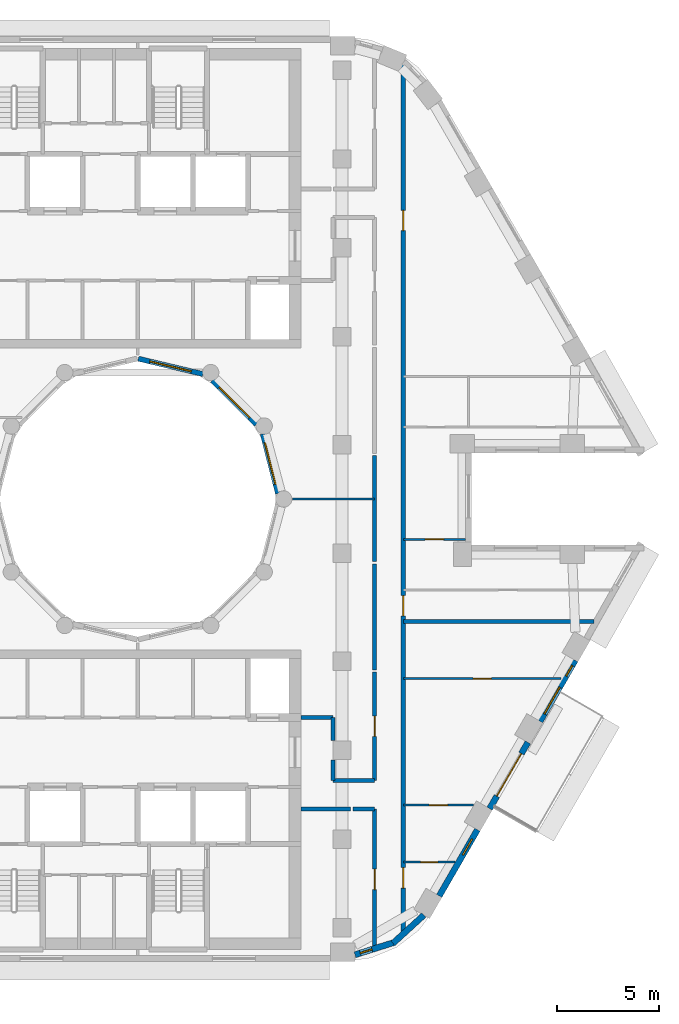
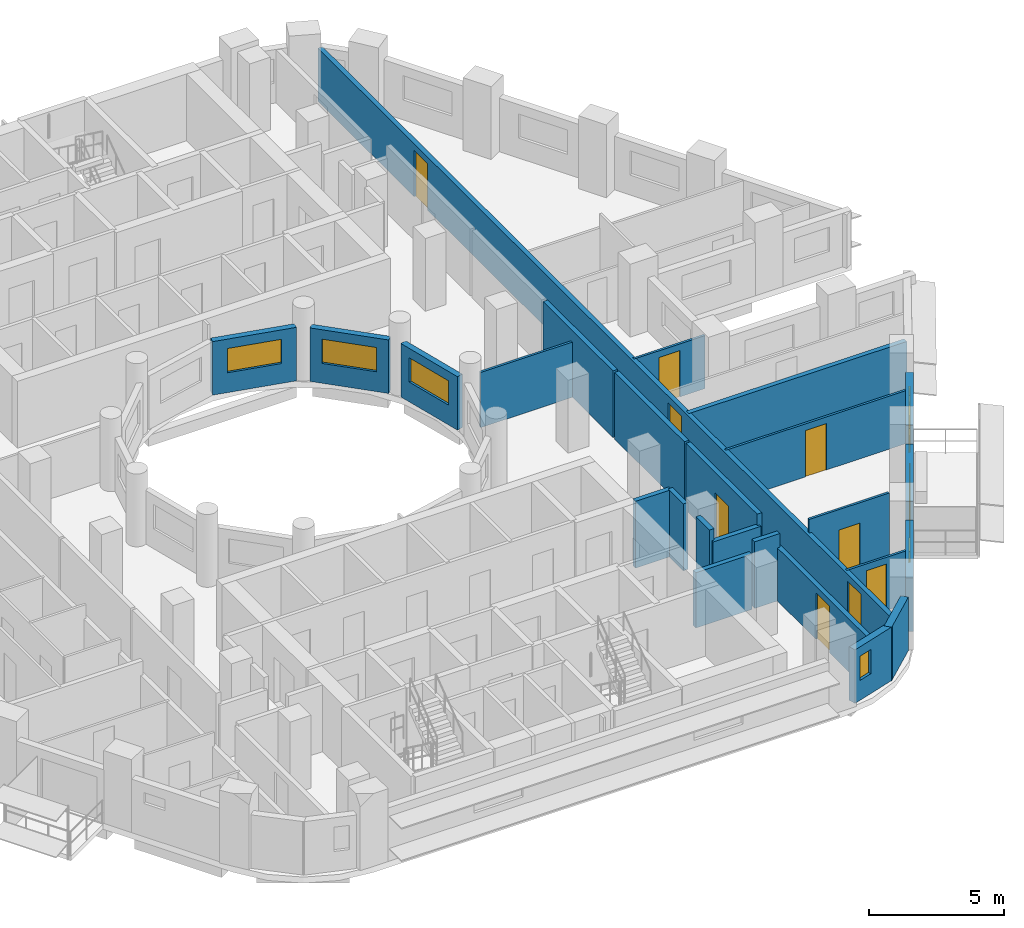
# One storey, part 6 of 17: 25 walls, 10 doors, 7 windows, 17 openings.
"""IFC4 building model written with IfcOpenShell, lengths in metres."""

from ifc_helpers import new_model, si_unit, direction, frame, frame_2d, origin, place, context, subcontext, project, spatial, rectangle, extrude, material, layer, layer_set, type_object, element, fill, save


model = new_model("IFC4")

# Units and contexts
model_context = context("Model", 3, precision=1e-05, world=origin(), true_north=direction((0.0, 1.0)))
body_context = subcontext(model_context, "Body", "Model", "MODEL_VIEW")
ifc_project = project(units=[si_unit("LENGTHUNIT", "METRE"), si_unit("AREAUNIT", "SQUARE_METRE"), si_unit("VOLUMEUNIT", "CUBIC_METRE"), si_unit("PLANEANGLEUNIT", "RADIAN"), si_unit("MASSUNIT", "GRAM", prefix="KILO")], contexts=[model_context])

# Site, building, storey
site_placement = place(None, origin())
site = spatial("IfcSite", under=ifc_project, at=site_placement, CompositionType="ELEMENT")
building_placement = place(site_placement, origin())
building = spatial("IfcBuilding", under=site, at=building_placement, Name="Nakaniwa Court", CompositionType="ELEMENT")
storey_placement = place(building_placement, frame((0.0, 0.0, 206.39990234375)))
storey = spatial("IfcBuildingStorey", under=building, at=storey_placement, Name="L54", CompositionType="ELEMENT", Elevation=206.39990234375)

# Wall, opening, door
ifc_material_1 = material(Name="Acoustic double stud partition")
ifc_layer_1 = layer(ifc_material_1, 0.199951171875)
ifc_layer_set_1 = layer_set([ifc_layer_1], Name="Acoustic double stud partition")
wall_type_1 = type_object("IfcWallType", Name="Acoustic double stud partition 200", PredefinedType="PARTITIONING", material=ifc_layer_set_1)
wall_1_placement = place(storey_placement, frame((91.60009765625, 57.92626953125, 0.0), z_axis=(0.0, 0.0, 1.0), x_axis=(0.0, 1.0, 0.0)))
wall_1 = element("IfcWall", 1, at=wall_1_placement, inside=storey, type_object=wall_type_1, Name="Partition PW-073", PredefinedType="PARTITIONING", context=body_context, shape_type="SweptSolid", body=[
    extrude(rectangle(XDim=6.898681640625, YDim=0.199951171875, at=frame_2d((3.44921875, 0.0))), origin(), (0.0, 0.0, 1.0), 2.405029296875),
])
opening_1_placement = place(wall_1_placement, frame((2.948974609375, 0.0, 0.0)))
opening_1 = element("IfcOpeningElement", 2, at=opening_1_placement, cuts=wall_1, Name="Opening D-02-01", PredefinedType="OPENING", context=body_context, shape_type="SweptSolid", body=[
    extrude(rectangle(XDim=1.0, YDim=2.10009765625, at=frame_2d((0.5, 1.050048828125))), frame((0.0, 0.10986328125, 0.0), z_axis=(0.0, -1.0, 0.0), x_axis=(1.0, 0.0, 0.0)), (0.0, 0.0, 1.0), 0.219970703125),
])
ifc_material_2 = material(Name="Solid core timber door set, black veneer", Category="wood")
door_type_1 = type_object("IfcDoorType", Name="Internal door 1000", OperationType="NOTDEFINED", PredefinedType="DOOR", material=ifc_material_2)
door_1_placement = place(opening_1_placement, origin())
door_1 = element("IfcDoor", 3, at=door_1_placement, inside=storey, type_object=door_type_1, Name="Door D-02-01 L54-029", OperationType="SINGLE_SWING_RIGHT", OverallHeight=2.10009765625, OverallWidth=1.0, PredefinedType="DOOR", context=body_context, shape_type="SweptSolid", body=[
    extrude(rectangle(XDim=1.0, YDim=2.10009765625, at=frame_2d((0.5, 1.050048828125))), frame((0.0, 0.02490234375, 0.0), z_axis=(0.0, -1.0, 0.0), x_axis=(1.0, 0.0, 0.0)), (0.0, 0.0, 1.0), 0.050048828125),
])
fill(opening_1, door_1)

wall_2_placement = place(storey_placement, frame((91.60009765625, 66.22509765625, 0.0), z_axis=(0.0, 0.0, 1.0), x_axis=(0.0, 1.0, 0.0)))
wall_2 = element("IfcWall", 4, at=wall_2_placement, inside=storey, type_object=wall_type_1, Name="Partition PW-074", PredefinedType="PARTITIONING", context=body_context, shape_type="SweptSolid", body=[
    extrude(rectangle(XDim=5.297607421875, YDim=0.199951171875, at=frame_2d((2.64892578125, 0.0))), origin(), (0.0, 0.0, 1.0), 3.025146484375),
])
opening_2_placement = place(wall_2_placement, frame((2.14794921875, 0.0, 0.0)))
opening_2 = element("IfcOpeningElement", 5, at=opening_2_placement, cuts=wall_2, Name="Opening D-02-02", PredefinedType="OPENING", context=body_context, shape_type="SweptSolid", body=[
    extrude(rectangle(XDim=1.0, YDim=2.10009765625, at=frame_2d((0.5, 1.050048828125))), frame((0.0, 0.10986328125, 0.0), z_axis=(0.0, -1.0, 0.0), x_axis=(1.0, 0.0, 0.0)), (0.0, 0.0, 1.0), 0.219970703125),
])
door_2_placement = place(opening_2_placement, origin())
door_2 = element("IfcDoor", 6, at=door_2_placement, inside=storey, type_object=door_type_1, Name="Door D-02-02 L54-034", OperationType="SINGLE_SWING_LEFT", OverallHeight=2.10009765625, OverallWidth=1.0, PredefinedType="DOOR", context=body_context, shape_type="SweptSolid", body=[
    extrude(rectangle(XDim=1.0, YDim=2.10009765625, at=frame_2d((0.5, 1.050048828125))), frame((0.0, 0.02490234375, 0.0), z_axis=(0.0, -1.0, 0.0), x_axis=(1.0, 0.0, 0.0)), (0.0, 0.0, 1.0), 0.050048828125),
])
fill(opening_2, door_2)

# Walls
for number, where, z_axis, x_axis, name in (
    (7, (91.60009765625, 71.63720703125, 0.0), (0.0, 0.0, 1.0), (0.0, 1.0, 0.0), "Partition PW-075"),
    (8, (91.60009765625, 76.937255859375, 0.0), (0.0, 0.0, 1.0), (0.0, 1.0, 0.0), "Partition PW-076"),
):
    element("IfcWall", number, at=place(storey_placement, frame(where, z_axis=z_axis, x_axis=x_axis)), inside=storey, type_object=wall_type_1, Name=name, PredefinedType="PARTITIONING", context=body_context, shape_type="SweptSolid", body=[
        extrude(rectangle(XDim=5.185546875, YDim=0.199951171875, at=frame_2d((2.5927734375, 0.0))), origin(), (0.0, 0.0, 1.0), 3.025146484375),
    ])
wall_3_placement = place(storey_placement, frame((88.0, 64.824951171875, 0.0), z_axis=(0.0, 0.0, 1.0), x_axis=(1.0, 0.0, 0.0)))
element("IfcWall", 9, at=wall_3_placement, inside=storey, type_object=wall_type_1, Name="Partition PW-082", PredefinedType="PARTITIONING", context=body_context, shape_type="SweptSolid", body=[
    extrude(rectangle(XDim=2.412841796875, YDim=0.199951171875, at=frame_2d((1.20654296875, 0.0))), origin(), (0.0, 0.0, 1.0), 2.505126953125),
])
wall_4_placement = place(storey_placement, frame((90.527099609375, 64.824951171875, 0.0), z_axis=(0.0, 0.0, 1.0), x_axis=(1.0, 0.0, 0.0)))
element("IfcWall", 10, at=wall_4_placement, inside=storey, type_object=wall_type_1, Name="Partition PW-083", PredefinedType="PARTITIONING", context=body_context, shape_type="SweptSolid", body=[
    extrude(rectangle(XDim=1.072998046875, YDim=0.199951171875, at=frame_2d((0.53662109375, 0.0))), origin(), (0.0, 0.0, 1.0), 3.025146484375),
])

# Wall, openings, doors
wall_5_placement = place(storey_placement, frame((93.0, 101.28076171875, 0.0), z_axis=(0.0, 0.0, 1.0), x_axis=(0.0, -1.0, 0.0)))
wall_5 = element("IfcWall", 11, at=wall_5_placement, inside=storey, type_object=wall_type_1, Name="Partition PW-084", PredefinedType="PARTITIONING", context=body_context, shape_type="SweptSolid", body=[
    extrude(rectangle(XDim=42.6064453125, YDim=0.199951171875, at=frame_2d((21.30322265625, 0.0))), origin(), (0.0, 0.0, 1.0), 2.405029296875),
])
opening_3_placement = place(wall_5_placement, frame((39.330078125, 0.0, 0.0)))
opening_3 = element("IfcOpeningElement", 12, at=opening_3_placement, cuts=wall_5, Name="Opening D-01-01", PredefinedType="OPENING", context=body_context, shape_type="SweptSolid", body=[
    extrude(rectangle(XDim=1.0, YDim=2.10009765625, at=frame_2d((0.5, 1.050048828125))), frame((0.0, 0.10986328125, 0.0), z_axis=(0.0, -1.0, 0.0), x_axis=(1.0, 0.0, 0.0)), (0.0, 0.0, 1.0), 0.219970703125),
])
opening_4_placement = place(wall_5_placement, frame((26.0048828125, 0.0, 0.0)))
opening_4 = element("IfcOpeningElement", 13, at=opening_4_placement, cuts=wall_5, Name="Opening D-01-02", PredefinedType="OPENING", context=body_context, shape_type="SweptSolid", body=[
    extrude(rectangle(XDim=1.0, YDim=2.10009765625, at=frame_2d((0.5, 1.050048828125))), frame((0.0, 0.10986328125, 0.0), z_axis=(0.0, -1.0, 0.0), x_axis=(1.0, 0.0, 0.0)), (0.0, 0.0, 1.0), 0.219970703125),
])
opening_5_placement = place(wall_5_placement, frame((7.14306640625, 0.0, 0.0)))
opening_5 = element("IfcOpeningElement", 14, at=opening_5_placement, cuts=wall_5, Name="Opening D-02-03", PredefinedType="OPENING", context=body_context, shape_type="SweptSolid", body=[
    extrude(rectangle(XDim=1.0, YDim=2.10009765625, at=frame_2d((0.5, 1.050048828125))), frame((0.0, 0.10986328125, 0.0), z_axis=(0.0, -1.0, 0.0), x_axis=(1.0, 0.0, 0.0)), (0.0, 0.0, 1.0), 0.219970703125),
])
door_type_2 = type_object("IfcDoorType", Name="Flat entrance door 1000", OperationType="NOTDEFINED", PredefinedType="DOOR", material=ifc_material_2)
door_3_placement = place(opening_3_placement, origin())
door_3 = element("IfcDoor", 15, at=door_3_placement, inside=storey, type_object=door_type_2, Name="Door D-01-01 L54-030", OperationType="SINGLE_SWING_LEFT", OverallHeight=2.10009765625, OverallWidth=1.0, PredefinedType="DOOR", context=body_context, shape_type="SweptSolid", body=[
    extrude(rectangle(XDim=1.0, YDim=2.10009765625, at=frame_2d((0.5, 1.050048828125))), frame((0.0, 0.02490234375, 0.0), z_axis=(0.0, -1.0, 0.0), x_axis=(1.0, 0.0, 0.0)), (0.0, 0.0, 1.0), 0.050048828125),
])
fill(opening_3, door_3)
door_4_placement = place(opening_4_placement, origin())
door_4 = element("IfcDoor", 16, at=door_4_placement, inside=storey, type_object=door_type_2, Name="Door D-01-02 L54-035", OperationType="SINGLE_SWING_RIGHT", OverallHeight=2.10009765625, OverallWidth=1.0, PredefinedType="DOOR", context=body_context, shape_type="SweptSolid", body=[
    extrude(rectangle(XDim=1.0, YDim=2.10009765625, at=frame_2d((0.5, 1.050048828125))), frame((0.0, 0.02490234375, 0.0), z_axis=(0.0, -1.0, 0.0), x_axis=(1.0, 0.0, 0.0)), (0.0, 0.0, 1.0), 0.050048828125),
])
fill(opening_4, door_4)
door_5_placement = place(opening_5_placement, origin())
door_5 = element("IfcDoor", 17, at=door_5_placement, inside=storey, type_object=door_type_1, Name="Door D-02-03 L54-040", OperationType="SINGLE_SWING_LEFT", OverallHeight=2.10009765625, OverallWidth=1.0, PredefinedType="DOOR", context=body_context, shape_type="SweptSolid", body=[
    extrude(rectangle(XDim=1.0, YDim=2.10009765625, at=frame_2d((0.5, 1.050048828125))), frame((0.0, 0.02490234375, 0.0), z_axis=(0.0, -1.0, 0.0), x_axis=(1.0, 0.0, 0.0)), (0.0, 0.0, 1.0), 0.050048828125),
])
fill(opening_5, door_5)

# Walls
wall_6_placement = place(storey_placement, frame((88.0, 69.300048828125, 0.0), z_axis=(0.0, 0.0, 1.0), x_axis=(1.0, 0.0, 0.0)))
element("IfcWall", 18, at=wall_6_placement, inside=storey, type_object=wall_type_1, Name="Partition PW-086", PredefinedType="PARTITIONING", context=body_context, shape_type="SweptSolid", body=[
    extrude(rectangle(XDim=1.550048828125, YDim=0.199951171875, at=frame_2d((0.77490234375, 0.0))), origin(), (0.0, 0.0, 1.0), 3.025146484375),
])
wall_7_placement = place(storey_placement, frame((89.550048828125, 66.22509765625, 0.0), z_axis=(0.0, 0.0, 1.0), x_axis=(0.0, 1.0, 0.0)))
element("IfcWall", 19, at=wall_7_placement, inside=storey, type_object=wall_type_1, Name="Partition PW-087", PredefinedType="PARTITIONING", context=body_context, shape_type="SweptSolid", body=[
    extrude(rectangle(XDim=1.0078125, YDim=0.199951171875, at=frame_2d((0.50390625, 0.0))), origin(), (0.0, 0.0, 1.0), 3.025146484375),
])
wall_8_placement = place(storey_placement, frame((89.550048828125, 68.167236328125, 0.0), z_axis=(0.0, 0.0, 1.0), x_axis=(0.0, 1.0, 0.0)))
element("IfcWall", 20, at=wall_8_placement, inside=storey, type_object=wall_type_1, Name="Partition PW-088", PredefinedType="PARTITIONING", context=body_context, shape_type="SweptSolid", body=[
    extrude(rectangle(XDim=1.1328125, YDim=0.199951171875, at=frame_2d((0.56640625, 0.0))), origin(), (0.0, 0.0, 1.0), 3.025146484375),
])
wall_9_placement = place(storey_placement, frame((89.550048828125, 66.22509765625, 0.0), z_axis=(0.0, 0.0, 1.0), x_axis=(1.0, 0.0, 0.0)))
element("IfcWall", 21, at=wall_9_placement, inside=storey, type_object=wall_type_1, Name="Partition PW-092", PredefinedType="PARTITIONING", context=body_context, shape_type="SweptSolid", body=[
    extrude(rectangle(XDim=2.050048828125, YDim=0.199951171875, at=frame_2d((1.02490234375, 0.0))), origin(), (0.0, 0.0, 1.0), 2.505126953125),
])
wall_10_placement = place(storey_placement, frame((93.0009765625, 74.0, 0.0), z_axis=(0.0, 0.0, 1.0), x_axis=(1.0, 0.0, 0.0)))
element("IfcWall", 22, at=wall_10_placement, inside=storey, type_object=wall_type_1, Name="Partition PW-120", PredefinedType="PARTITIONING", context=body_context, shape_type="SweptSolid", body=[
    extrude(rectangle(XDim=9.342529296875, YDim=0.199951171875, at=frame_2d((4.67138671875, 0.0))), origin(), (0.0, 0.0, 1.0), 2.405029296875),
])

# Wall, opening, window
ifc_material_3 = material(Name="Charcoal ceramic cladding")
ifc_layer_2 = layer(ifc_material_3, 0.02, Name="Ceramic cladding")
ifc_material_4 = material(Name="Ventilated air cavity")
ifc_layer_3 = layer(ifc_material_4, 0.04, ventilated=True, Name="Ventilated cavity")
ifc_material_5 = material(Name="Mineral wool insulation")
ifc_layer_4 = layer(ifc_material_5, 0.1, Name="Insulation")
ifc_material_6 = material(Name="Cement bonded sheathing board")
ifc_layer_5 = layer(ifc_material_6, 0.012, Name="Sheathing")
ifc_material_7 = material(Name="Cold-formed galvanised stud frame with mineral wool infill")
ifc_layer_6 = layer(ifc_material_7, 0.1, Name="Stud frame")
ifc_material_8 = material(Name="Fire-rated gypsum plasterboard lining")
ifc_layer_7 = layer(ifc_material_8, 0.028, Name="Lining")
ifc_layer_set_2 = layer_set([ifc_layer_2, ifc_layer_3, ifc_layer_4, ifc_layer_5, ifc_layer_6, ifc_layer_7], Name="Charcoal ceramic faced external wall system")
wall_type_2 = type_object("IfcWallType", Name="Black ceramic faced external wall 300", PredefinedType="SOLIDWALL", material=ifc_layer_set_2)
wall_11_placement = place(storey_placement, frame((90.6357421875, 57.684814453125, 0.0), z_axis=(0.0, 0.0, 1.0), x_axis=(0.95368324118, 0.300812691707, 0.0)))
wall_11 = element("IfcWall", 23, at=wall_11_placement, inside=storey, type_object=wall_type_2, Name="L54 external wall 27", PredefinedType="SOLIDWALL", context=body_context, shape_type="SweptSolid", body=[
    extrude(rectangle(XDim=2.053466796875, YDim=0.300048828125, at=frame_2d((1.02685546875, 0.0))), origin(), (0.0, 0.0, 1.0), 2.425048828125),
])
opening_6_placement = place(wall_11_placement, frame((0.271240234375, 0.0, 0.89990234375)))
opening_6 = element("IfcOpeningElement", 24, at=opening_6_placement, cuts=wall_11, Name="Opening W8.28", PredefinedType="OPENING", context=body_context, shape_type="SweptSolid", body=[
    extrude(rectangle(XDim=0.60009765625, YDim=1.10009765625, at=frame_2d((0.300048828125, 0.550048828125))), frame((0.0, 0.159912109375, 0.0), z_axis=(0.0, -1.0, 0.0), x_axis=(1.0, 0.0, 0.0)), (0.0, 0.0, 1.0), 0.320068359375),
])
ifc_material_9 = material(Name="Black anodised aluminium frame with dark low-E laminated double glazing", Category="aluminium")
window_type_1 = type_object("IfcWindowType", Name="Dark glass window 600x1100 sill 900", PartitioningType="SINGLE_PANEL", PredefinedType="WINDOW", material=ifc_material_9)
window_1_placement = place(opening_6_placement, origin())
window_1 = element("IfcWindow", 25, at=window_1_placement, inside=storey, type_object=window_type_1, Name="L54 habitable room window 27-0", OverallHeight=1.10009765625, OverallWidth=0.60009765625, PartitioningType="SINGLE_PANEL", PredefinedType="WINDOW", context=body_context, shape_type="SweptSolid", body=[
    extrude(rectangle(XDim=0.60009765625, YDim=1.10009765625, at=frame_2d((0.300048828125, 0.550048828125))), frame((0.0, 0.030029296875, 0.0), z_axis=(0.0, -1.0, 0.0), x_axis=(1.0, 0.0, 0.0)), (0.0, 0.0, 1.0), 0.06005859375),
])
fill(opening_6, window_1)

# Wall
wall_12_placement = place(storey_placement, frame((92.494140625, 58.243896484375, 0.0), z_axis=(0.0, 0.0, 1.0), x_axis=(0.73764876128, 0.675184645102, 0.0)))
element("IfcWall", 26, at=wall_12_placement, inside=storey, type_object=wall_type_2, Name="L54 external wall 28", PredefinedType="SOLIDWALL", context=body_context, shape_type="SweptSolid", body=[
    extrude(rectangle(XDim=2.048095703125, YDim=0.300048828125, at=frame_2d((1.02392578125, 0.0))), origin(), (0.0, 0.0, 1.0), 2.425048828125),
])

# Wall, opening, window
wall_13_placement = place(storey_placement, frame((94.760986328125, 60.566650390625, 0.0), z_axis=(0.0, 0.0, 1.0), x_axis=(0.499982088007, 0.866035745032, 0.0)))
wall_13 = element("IfcWall", 27, at=wall_13_placement, inside=storey, type_object=wall_type_2, Name="L54 external wall 29", PredefinedType="SOLIDWALL", context=body_context, shape_type="SweptSolid", body=[
    extrude(rectangle(XDim=3.744384765625, YDim=0.300048828125, at=frame_2d((1.8720703125, 0.0))), origin(), (0.0, 0.0, 1.0), 2.425048828125),
])
opening_7_placement = place(wall_13_placement, frame((2.318603515625, 0.0, 1.5)))
opening_7 = element("IfcOpeningElement", 28, at=opening_7_placement, cuts=wall_13, Name="Opening W10.29", PredefinedType="OPENING", context=body_context, shape_type="SweptSolid", body=[
    extrude(rectangle(XDim=0.89990234375, YDim=0.5, at=frame_2d((0.449951171875, 0.25))), frame((0.0, 0.159912109375, 0.0), z_axis=(0.0, -1.0, 0.0), x_axis=(1.0, 0.0, 0.0)), (0.0, 0.0, 1.0), 0.320068359375),
])
window_type_2 = type_object("IfcWindowType", Name="Dark glass window 900x500 sill 1500", PartitioningType="SINGLE_PANEL", PredefinedType="WINDOW", material=ifc_material_9)
window_2_placement = place(opening_7_placement, origin())
window_2 = element("IfcWindow", 29, at=window_2_placement, inside=storey, type_object=window_type_2, Name="L54 bathroom window 29-1", OverallHeight=0.5, OverallWidth=0.89990234375, PartitioningType="SINGLE_PANEL", PredefinedType="WINDOW", context=body_context, shape_type="SweptSolid", body=[
    extrude(rectangle(XDim=0.89990234375, YDim=0.5, at=frame_2d((0.449951171875, 0.25))), frame((0.0, 0.030029296875, 0.0), z_axis=(0.0, -1.0, 0.0), x_axis=(1.0, 0.0, 0.0)), (0.0, 0.0, 1.0), 0.06005859375),
])
fill(opening_7, window_2)

# Wall, opening, door
wall_14_placement = place(storey_placement, frame((97.22900390625, 64.841552734375, 0.0), z_axis=(0.0, 0.0, 1.0), x_axis=(0.500059225181, 0.86599120741, 0.0)))
wall_14 = element("IfcWall", 30, at=wall_14_placement, inside=storey, type_object=wall_type_2, Name="L54 external wall 30", PredefinedType="SOLIDWALL", context=body_context, shape_type="SweptSolid", body=[
    extrude(rectangle(XDim=3.744140625, YDim=0.300048828125, at=frame_2d((1.8720703125, 0.0))), origin(), (0.0, 0.0, 1.0), 2.425048828125),
])
opening_8_placement = place(wall_14_placement, frame((0.710693359375, 0.0, 0.0)))
opening_8 = element("IfcOpeningElement", 31, at=opening_8_placement, cuts=wall_14, Name="Opening XD13.03", PredefinedType="OPENING", context=body_context, shape_type="SweptSolid", body=[
    extrude(rectangle(XDim=2.39990234375, YDim=2.0, at=frame_2d((1.199951171875, 1.0))), frame((0.0, 0.159912109375, 0.0), z_axis=(0.0, -1.0, 0.0), x_axis=(1.0, 0.0, 0.0)), (0.0, 0.0, 1.0), 0.320068359375),
])
ifc_material_10 = material(Name="Black powder-coated aluminium frame with dark laminated glass", Category="aluminium")
door_type_3 = type_object("IfcDoorType", Name="Balcony sliding door 2400x2000", OperationType="DOUBLE_DOOR_SLIDING", PredefinedType="DOOR", material=ifc_material_10)
door_6_placement = place(opening_8_placement, origin())
door_6 = element("IfcDoor", 32, at=door_6_placement, inside=storey, type_object=door_type_3, Name="L54 balcony sliding door 03", OperationType="DOUBLE_DOOR_SLIDING", OverallHeight=2.0, OverallWidth=2.39990234375, PredefinedType="DOOR", context=body_context, shape_type="SweptSolid", body=[
    extrude(rectangle(XDim=2.39990234375, YDim=2.0, at=frame_2d((1.199951171875, 1.0))), frame((0.0, 0.02490234375, 0.0), z_axis=(0.0, -1.0, 0.0), x_axis=(1.0, 0.0, 0.0)), (0.0, 0.0, 1.0), 0.050048828125),
])
fill(opening_8, door_6)

# Wall, openings, windows
wall_15_placement = place(storey_placement, frame((99.697265625, 69.116455078125, 0.0), z_axis=(0.0, 0.0, 1.0), x_axis=(0.499955427682, 0.866051136095, 0.0)))
wall_15 = element("IfcWall", 33, at=wall_15_placement, inside=storey, type_object=wall_type_2, Name="L54 external wall 31", PredefinedType="SOLIDWALL", context=body_context, shape_type="SweptSolid", body=[
    extrude(rectangle(XDim=3.447021484375, YDim=0.300048828125, at=frame_2d((1.7236328125, 0.0))), origin(), (0.0, 0.0, 1.0), 2.425048828125),
])
opening_9_placement = place(wall_15_placement, frame((0.42236328125, 0.0, 0.89990234375)))
opening_9 = element("IfcOpeningElement", 34, at=opening_9_placement, cuts=wall_15, Name="Opening W5.30", PredefinedType="OPENING", context=body_context, shape_type="SweptSolid", body=[
    extrude(rectangle(XDim=1.5, YDim=1.10009765625, at=frame_2d((0.75, 0.550048828125))), frame((0.0, 0.159912109375, 0.0), z_axis=(0.0, -1.0, 0.0), x_axis=(1.0, 0.0, 0.0)), (0.0, 0.0, 1.0), 0.320068359375),
])
opening_10_placement = place(wall_15_placement, frame((2.558837890625, 0.0, 0.89990234375)))
opening_10 = element("IfcOpeningElement", 35, at=opening_10_placement, cuts=wall_15, Name="Opening W8.31", PredefinedType="OPENING", context=body_context, shape_type="SweptSolid", body=[
    extrude(rectangle(XDim=0.60009765625, YDim=1.10009765625, at=frame_2d((0.300048828125, 0.550048828125))), frame((0.0, 0.159912109375, 0.0), z_axis=(0.0, -1.0, 0.0), x_axis=(1.0, 0.0, 0.0)), (0.0, 0.0, 1.0), 0.320068359375),
])
window_type_3 = type_object("IfcWindowType", Name="Dark glass window 1500x1100 sill 900", PartitioningType="SINGLE_PANEL", PredefinedType="WINDOW", material=ifc_material_9)
window_3_placement = place(opening_9_placement, origin())
window_3 = element("IfcWindow", 36, at=window_3_placement, inside=storey, type_object=window_type_3, Name="L54 living window 31-0", OverallHeight=1.10009765625, OverallWidth=1.5, PartitioningType="SINGLE_PANEL", PredefinedType="WINDOW", context=body_context, shape_type="SweptSolid", body=[
    extrude(rectangle(XDim=1.5, YDim=1.10009765625, at=frame_2d((0.75, 0.550048828125))), frame((0.0, 0.030029296875, 0.0), z_axis=(0.0, -1.0, 0.0), x_axis=(1.0, 0.0, 0.0)), (0.0, 0.0, 1.0), 0.06005859375),
])
fill(opening_9, window_3)
window_4_placement = place(opening_10_placement, origin())
window_4 = element("IfcWindow", 37, at=window_4_placement, inside=storey, type_object=window_type_1, Name="L54 habitable room window 31-1", OverallHeight=1.10009765625, OverallWidth=0.60009765625, PartitioningType="SINGLE_PANEL", PredefinedType="WINDOW", context=body_context, shape_type="SweptSolid", body=[
    extrude(rectangle(XDim=0.60009765625, YDim=1.10009765625, at=frame_2d((0.300048828125, 0.550048828125))), frame((0.0, 0.030029296875, 0.0), z_axis=(0.0, -1.0, 0.0), x_axis=(1.0, 0.0, 0.0)), (0.0, 0.0, 1.0), 0.06005859375),
])
fill(opening_10, window_4)

# Wall, opening, window
ifc_layer_8 = layer(ifc_material_3, 0.02, Name="Ceramic cladding")
ifc_layer_9 = layer(ifc_material_4, 0.04, ventilated=True, Name="Ventilated cavity")
ifc_layer_10 = layer(ifc_material_5, 0.075, Name="Insulation")
ifc_layer_11 = layer(ifc_material_6, 0.012, Name="Sheathing")
ifc_layer_12 = layer(ifc_material_7, 0.075, Name="Stud frame")
ifc_layer_13 = layer(ifc_material_8, 0.028, Name="Lining")
ifc_layer_set_3 = layer_set([ifc_layer_8, ifc_layer_9, ifc_layer_10, ifc_layer_11, ifc_layer_12, ifc_layer_13], Name="Charcoal ceramic faced external wall system")
wall_type_3 = type_object("IfcWallType", Name="Charcoal ceramic faced well wall 250", PredefinedType="SOLIDWALL", material=ifc_layer_set_3)
wall_16_placement = place(storey_placement, frame((80.029052734375, 86.87158203125, 0.0), z_axis=(0.0, 0.0, 1.0), x_axis=(0.972773113459, -0.231759508395, 0.0)))
wall_16 = element("IfcWall", 38, at=wall_16_placement, inside=storey, type_object=wall_type_3, Name="L54 external wall 45", PredefinedType="SOLIDWALL", context=body_context, shape_type="SweptSolid", body=[
    extrude(rectangle(XDim=3.24560546875, YDim=0.25, at=frame_2d((1.622802734375, 0.0))), origin(), (0.0, 0.0, 1.0), 2.425048828125),
])
opening_11_placement = place(wall_16_placement, frame((0.57275390625, 0.0, 0.89990234375)))
opening_11 = element("IfcOpeningElement", 39, at=opening_11_placement, cuts=wall_16, Name="Opening W7.45", PredefinedType="OPENING", context=body_context, shape_type="SweptSolid", body=[
    extrude(rectangle(XDim=2.10009765625, YDim=1.10009765625, at=frame_2d((1.050048828125, 0.550048828125))), frame((0.0, 0.135009765625, 0.0), z_axis=(0.0, -1.0, 0.0), x_axis=(1.0, 0.0, 0.0)), (0.0, 0.0, 1.0), 0.27001953125),
])
window_type_4 = type_object("IfcWindowType", Name="Dark glass window 2100x1100 sill 900", PartitioningType="SINGLE_PANEL", PredefinedType="WINDOW", material=ifc_material_9)
window_5_placement = place(opening_11_placement, origin())
window_5 = element("IfcWindow", 40, at=window_5_placement, inside=storey, type_object=window_type_4, Name="L54 habitable room window 45-0", OverallHeight=1.10009765625, OverallWidth=2.10009765625, PartitioningType="SINGLE_PANEL", PredefinedType="WINDOW", context=body_context, shape_type="SweptSolid", body=[
    extrude(rectangle(XDim=2.10009765625, YDim=1.10009765625, at=frame_2d((1.050048828125, 0.550048828125))), frame((0.0, 0.030029296875, 0.0), z_axis=(0.0, -1.0, 0.0), x_axis=(1.0, 0.0, 0.0)), (0.0, 0.0, 1.0), 0.06005859375),
])
fill(opening_11, window_5)

wall_17_placement = place(storey_placement, frame((83.660888671875, 85.8056640625, 0.0), z_axis=(0.0, 0.0, 1.0), x_axis=(0.707106781187, -0.707106781187, 0.0)))
wall_17 = element("IfcWall", 41, at=wall_17_placement, inside=storey, type_object=wall_type_3, Name="L54 external wall 46", PredefinedType="SOLIDWALL", context=body_context, shape_type="SweptSolid", body=[
    extrude(rectangle(XDim=3.033203125, YDim=0.25, at=frame_2d((1.5166015625, 0.0))), origin(), (0.0, 0.0, 1.0), 2.425048828125),
])
opening_12_placement = place(wall_17_placement, frame((0.466552734375, 0.0, 0.89990234375)))
opening_12 = element("IfcOpeningElement", 42, at=opening_12_placement, cuts=wall_17, Name="Opening W7.46", PredefinedType="OPENING", context=body_context, shape_type="SweptSolid", body=[
    extrude(rectangle(XDim=2.10009765625, YDim=1.10009765625, at=frame_2d((1.050048828125, 0.550048828125))), frame((0.0, 0.135009765625, 0.0), z_axis=(0.0, -1.0, 0.0), x_axis=(1.0, 0.0, 0.0)), (0.0, 0.0, 1.0), 0.27001953125),
])
window_6_placement = place(opening_12_placement, origin())
window_6 = element("IfcWindow", 43, at=window_6_placement, inside=storey, type_object=window_type_4, Name="L54 habitable room window 46-0", OverallHeight=1.10009765625, OverallWidth=2.10009765625, PartitioningType="SINGLE_PANEL", PredefinedType="WINDOW", context=body_context, shape_type="SweptSolid", body=[
    extrude(rectangle(XDim=2.10009765625, YDim=1.10009765625, at=frame_2d((1.050048828125, 0.550048828125))), frame((0.0, 0.030029296875, 0.0), z_axis=(0.0, -1.0, 0.0), x_axis=(1.0, 0.0, 0.0)), (0.0, 0.0, 1.0), 0.06005859375),
])
fill(opening_12, window_6)

wall_18_placement = place(storey_placement, frame((86.11669921875, 83.186767578125, 0.0), z_axis=(0.0, 0.0, 1.0), x_axis=(0.247055971283, -0.969001211069, 0.0)))
wall_18 = element("IfcWall", 44, at=wall_18_placement, inside=storey, type_object=wall_type_3, Name="L54 external wall 47", PredefinedType="SOLIDWALL", context=body_context, shape_type="SweptSolid", body=[
    extrude(rectangle(XDim=3.010009765625, YDim=0.25, at=frame_2d((1.5048828125, 0.0))), origin(), (0.0, 0.0, 1.0), 2.425048828125),
])
opening_13_placement = place(wall_18_placement, frame((0.441162109375, 0.0, 0.89990234375)))
opening_13 = element("IfcOpeningElement", 45, at=opening_13_placement, cuts=wall_18, Name="Opening W7.47", PredefinedType="OPENING", context=body_context, shape_type="SweptSolid", body=[
    extrude(rectangle(XDim=2.10009765625, YDim=1.10009765625, at=frame_2d((1.050048828125, 0.550048828125))), frame((0.0, 0.135009765625, 0.0), z_axis=(0.0, -1.0, 0.0), x_axis=(1.0, 0.0, 0.0)), (0.0, 0.0, 1.0), 0.27001953125),
])
window_7_placement = place(opening_13_placement, origin())
window_7 = element("IfcWindow", 46, at=window_7_placement, inside=storey, type_object=window_type_4, Name="L54 habitable room window 47-0", OverallHeight=1.10009765625, OverallWidth=2.10009765625, PartitioningType="SINGLE_PANEL", PredefinedType="WINDOW", context=body_context, shape_type="SweptSolid", body=[
    extrude(rectangle(XDim=2.10009765625, YDim=1.10009765625, at=frame_2d((1.050048828125, 0.550048828125))), frame((0.0, 0.030029296875, 0.0), z_axis=(0.0, -1.0, 0.0), x_axis=(1.0, 0.0, 0.0)), (0.0, 0.0, 1.0), 0.06005859375),
])
fill(opening_13, window_7)

# Wall, opening, door
ifc_material_11 = material(Name="Single stud plasterboard partition")
ifc_layer_14 = layer(ifc_material_11, 0.10009765625)
ifc_layer_set_4 = layer_set([ifc_layer_14], Name="Single stud plasterboard partition")
wall_type_4 = type_object("IfcWallType", Name="Single stud plasterboard partition 100", PredefinedType="PARTITIONING", material=ifc_layer_set_4)
wall_19_placement = place(storey_placement, frame((93.0009765625, 62.22509765625, 0.0), z_axis=(0.0, 0.0, 1.0), x_axis=(1.0, 0.0, 0.0)))
wall_19 = element("IfcWall", 47, at=wall_19_placement, inside=storey, type_object=wall_type_4, Name="Partition PW-117", PredefinedType="PARTITIONING", context=body_context, shape_type="SweptSolid", body=[
    extrude(rectangle(XDim=2.544189453125, YDim=0.10009765625, at=frame_2d((1.27197265625, 0.0))), origin(), (0.0, 0.0, 1.0), 2.405029296875),
])
opening_14_placement = place(wall_19_placement, frame((0.846923828125, 0.0, 0.0)))
opening_14 = element("IfcOpeningElement", 48, at=opening_14_placement, cuts=wall_19, Name="Opening D-03-01", PredefinedType="OPENING", context=body_context, shape_type="SweptSolid", body=[
    extrude(rectangle(XDim=0.85009765625, YDim=2.10009765625, at=frame_2d((0.425048828125, 1.050048828125))), frame((0.0, 0.06005859375, 0.0), z_axis=(0.0, -1.0, 0.0), x_axis=(1.0, 0.0, 0.0)), (0.0, 0.0, 1.0), 0.1201171875),
])
ifc_material_12 = material(Name="Moisture sealed timber door set", Category="wood")
door_type_4 = type_object("IfcDoorType", Name="Bathroom door 850", OperationType="NOTDEFINED", PredefinedType="DOOR", material=ifc_material_12)
door_7_placement = place(opening_14_placement, origin())
door_7 = element("IfcDoor", 49, at=door_7_placement, inside=storey, type_object=door_type_4, Name="Door D-03-01 L54-031", OperationType="SINGLE_SWING_RIGHT", OverallHeight=2.10009765625, OverallWidth=0.85009765625, PredefinedType="DOOR", context=body_context, shape_type="SweptSolid", body=[
    extrude(rectangle(XDim=0.85009765625, YDim=2.10009765625, at=frame_2d((0.425048828125, 1.050048828125))), frame((0.0, 0.02490234375, 0.0), z_axis=(0.0, -1.0, 0.0), x_axis=(1.0, 0.0, 0.0)), (0.0, 0.0, 1.0), 0.050048828125),
])
fill(opening_14, door_7)

wall_20_placement = place(storey_placement, frame((93.0009765625, 65.013916015625, 0.0), z_axis=(0.0, 0.0, 1.0), x_axis=(1.0, 0.0, 0.0)))
wall_20 = element("IfcWall", 50, at=wall_20_placement, inside=storey, type_object=wall_type_4, Name="Partition PW-118", PredefinedType="PARTITIONING", context=body_context, shape_type="SweptSolid", body=[
    extrude(rectangle(XDim=3.4384765625, YDim=0.10009765625, at=frame_2d((1.71923828125, 0.0))), origin(), (0.0, 0.0, 1.0), 3.025146484375),
])
opening_15_placement = place(wall_20_placement, frame((1.26904296875, 0.0, 0.0)))
opening_15 = element("IfcOpeningElement", 51, at=opening_15_placement, cuts=wall_20, Name="Opening D-33-01", PredefinedType="OPENING", context=body_context, shape_type="SweptSolid", body=[
    extrude(rectangle(XDim=0.89990234375, YDim=2.10009765625, at=frame_2d((0.449951171875, 1.050048828125))), frame((0.0, 0.06005859375, 0.0), z_axis=(0.0, -1.0, 0.0), x_axis=(1.0, 0.0, 0.0)), (0.0, 0.0, 1.0), 0.1201171875),
])
door_type_5 = type_object("IfcDoorType", Name="Internal door 900", OperationType="NOTDEFINED", PredefinedType="DOOR", material=ifc_material_2)
door_8_placement = place(opening_15_placement, origin())
door_8 = element("IfcDoor", 52, at=door_8_placement, inside=storey, type_object=door_type_5, Name="Door D-33-01 L54-032", OperationType="SINGLE_SWING_LEFT", OverallHeight=2.10009765625, OverallWidth=0.89990234375, PredefinedType="DOOR", context=body_context, shape_type="SweptSolid", body=[
    extrude(rectangle(XDim=0.89990234375, YDim=2.10009765625, at=frame_2d((0.449951171875, 1.050048828125))), frame((0.0, 0.02490234375, 0.0), z_axis=(0.0, -1.0, 0.0), x_axis=(1.0, 0.0, 0.0)), (0.0, 0.0, 1.0), 0.050048828125),
])
fill(opening_15, door_8)

wall_21_placement = place(storey_placement, frame((93.0009765625, 71.2109375, 0.0), z_axis=(0.0, 0.0, 1.0), x_axis=(1.0, 0.0, 0.0)))
wall_21 = element("IfcWall", 53, at=wall_21_placement, inside=storey, type_object=wall_type_4, Name="Partition PW-119", PredefinedType="PARTITIONING", context=body_context, shape_type="SweptSolid", body=[
    extrude(rectangle(XDim=7.732421875, YDim=0.10009765625, at=frame_2d((3.8662109375, 0.0))), origin(), (0.0, 0.0, 1.0), 2.405029296875),
])
opening_16_placement = place(wall_21_placement, frame((3.416015625, 0.0, 0.0)))
opening_16 = element("IfcOpeningElement", 54, at=opening_16_placement, cuts=wall_21, Name="Opening D-33-02", PredefinedType="OPENING", context=body_context, shape_type="SweptSolid", body=[
    extrude(rectangle(XDim=0.89990234375, YDim=2.10009765625, at=frame_2d((0.449951171875, 1.050048828125))), frame((0.0, 0.06005859375, 0.0), z_axis=(0.0, -1.0, 0.0), x_axis=(1.0, 0.0, 0.0)), (0.0, 0.0, 1.0), 0.1201171875),
])
door_9_placement = place(opening_16_placement, origin())
door_9 = element("IfcDoor", 55, at=door_9_placement, inside=storey, type_object=door_type_5, Name="Door D-33-02 L54-033", OperationType="SINGLE_SWING_RIGHT", OverallHeight=2.10009765625, OverallWidth=0.89990234375, PredefinedType="DOOR", context=body_context, shape_type="SweptSolid", body=[
    extrude(rectangle(XDim=0.89990234375, YDim=2.10009765625, at=frame_2d((0.449951171875, 1.050048828125))), frame((0.0, 0.02490234375, 0.0), z_axis=(0.0, -1.0, 0.0), x_axis=(1.0, 0.0, 0.0)), (0.0, 0.0, 1.0), 0.050048828125),
])
fill(opening_16, door_9)

# Wall
wall_22_placement = place(storey_placement, frame((87.570068359375, 80.0, 0.0), z_axis=(0.0, 0.0, 1.0), x_axis=(1.0, 0.0, 0.0)))
element("IfcWall", 56, at=wall_22_placement, inside=storey, type_object=wall_type_4, Name="Partition PW-121", PredefinedType="PARTITIONING", context=body_context, shape_type="SweptSolid", body=[
    extrude(rectangle(XDim=4.029052734375, YDim=0.10009765625, at=frame_2d((2.0146484375, 0.0))), origin(), (0.0, 0.0, 1.0), 2.505126953125),
])

# Wall, opening, door
wall_23_placement = place(storey_placement, frame((93.0009765625, 78.02490234375, 0.0), z_axis=(0.0, 0.0, 1.0), x_axis=(1.0, 0.0, 0.0)))
wall_23 = element("IfcWall", 57, at=wall_23_placement, inside=storey, type_object=wall_type_4, Name="Partition PW-123", PredefinedType="PARTITIONING", context=body_context, shape_type="SweptSolid", body=[
    extrude(rectangle(XDim=3.048583984375, YDim=0.10009765625, at=frame_2d((1.5244140625, 0.0))), origin(), (0.0, 0.0, 1.0), 2.405029296875),
])
opening_17_placement = place(wall_23_placement, frame((1.073974609375, 0.0, 0.0)))
opening_17 = element("IfcOpeningElement", 58, at=opening_17_placement, cuts=wall_23, Name="Opening D-33-04", PredefinedType="OPENING", context=body_context, shape_type="SweptSolid", body=[
    extrude(rectangle(XDim=0.89990234375, YDim=2.10009765625, at=frame_2d((0.449951171875, 1.050048828125))), frame((0.0, 0.06005859375, 0.0), z_axis=(0.0, -1.0, 0.0), x_axis=(1.0, 0.0, 0.0)), (0.0, 0.0, 1.0), 0.1201171875),
])
door_10_placement = place(opening_17_placement, origin())
door_10 = element("IfcDoor", 59, at=door_10_placement, inside=storey, type_object=door_type_5, Name="Door D-33-04 L54-037", OperationType="SINGLE_SWING_RIGHT", OverallHeight=2.10009765625, OverallWidth=0.89990234375, PredefinedType="DOOR", context=body_context, shape_type="SweptSolid", body=[
    extrude(rectangle(XDim=0.89990234375, YDim=2.10009765625, at=frame_2d((0.449951171875, 1.050048828125))), frame((0.0, 0.02490234375, 0.0), z_axis=(0.0, -1.0, 0.0), x_axis=(1.0, 0.0, 0.0)), (0.0, 0.0, 1.0), 0.050048828125),
])
fill(opening_17, door_10)

save(model, "model.ifc")
